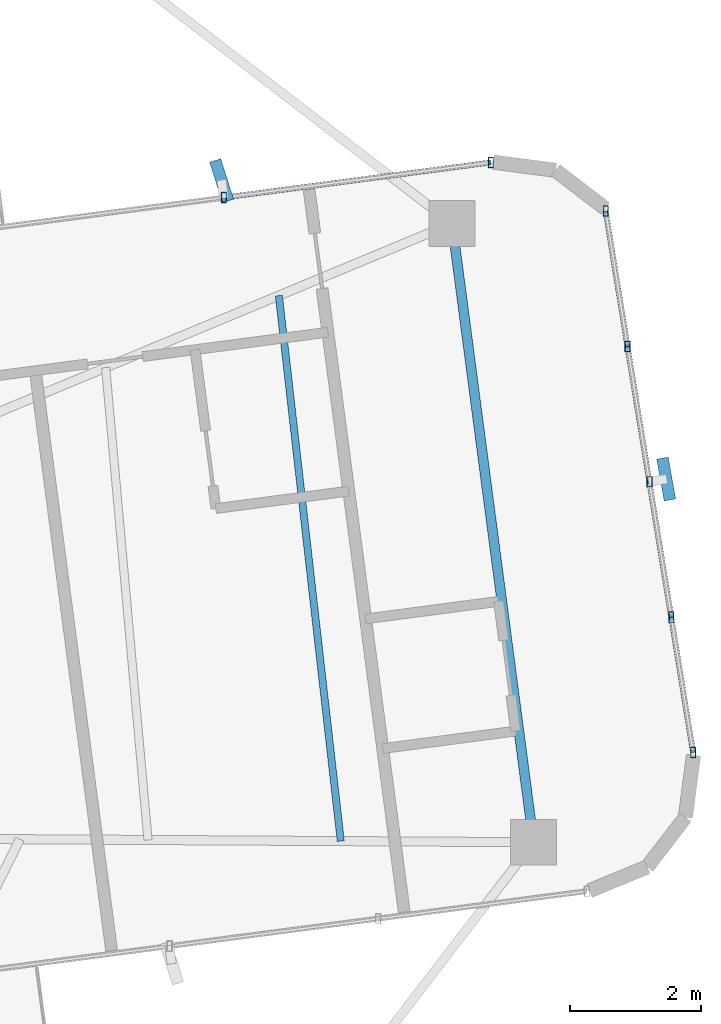
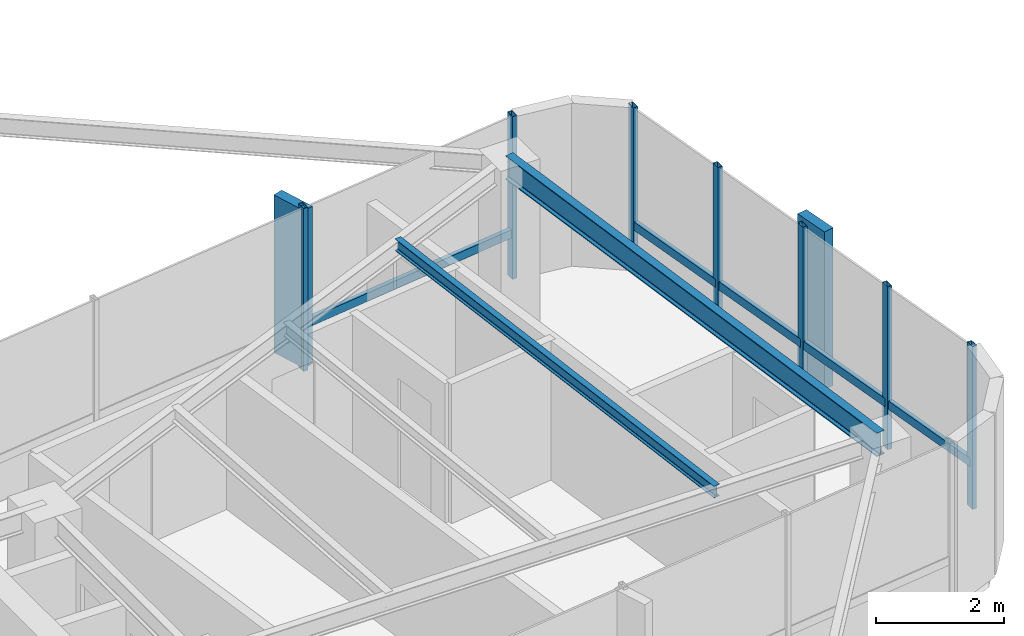
# One storey, part 13 of 22: 14 members, 2 beams, 2 elements without a shape of their own.
"""IFC4 building model written with IfcOpenShell, lengths in metres."""

from ifc_helpers import new_model, si_unit, direction, frame, origin, origin_2d, place, context, subcontext, project, spatial, rectangle, hollow_rectangle, i_section, extrude, source, transform, mapped, material, material_profile, profile_set, type_object, element, aggregate, save


model = new_model("IFC4")

# Units and contexts
model_context = context("Model", 3, precision=1e-05, world=origin(), true_north=direction((0.0, 1.0)))
body_context = subcontext(model_context, "Body", "Model", "MODEL_VIEW")
ifc_project = project(units=[si_unit("LENGTHUNIT", "METRE"), si_unit("AREAUNIT", "SQUARE_METRE"), si_unit("VOLUMEUNIT", "CUBIC_METRE"), si_unit("PLANEANGLEUNIT", "RADIAN"), si_unit("MASSUNIT", "GRAM", prefix="KILO")], contexts=[model_context])

# Site, building, storey
site_placement = place(None, origin())
site = spatial("IfcSite", under=ifc_project, at=site_placement, CompositionType="ELEMENT")
building_placement = place(site_placement, origin())
building = spatial("IfcBuilding", under=site, at=building_placement, Name="Sahyath Konkavel Grand Hotel", CompositionType="ELEMENT")
storey_placement = place(building_placement, frame((0.0, 0.0, 241.14990234375)))
storey = spatial("IfcBuildingStorey", under=building, at=storey_placement, Name="L67", CompositionType="ELEMENT", Elevation=241.14990234375)

# Beams
ifc_material_1 = material(Name="Steel E350", Category="steel")
ifc_material_profile_1 = material_profile(ifc_material_1, i_section(OverallWidth=0.14990234375, OverallDepth=0.449951171875, WebThickness=0.009521484375, FlangeThickness=0.017333984375, FilletRadius=0.014892578125, at=origin_2d()), Name="ISMB 450")
ifc_profile_set_1 = profile_set([ifc_material_profile_1], Name="Steel E350")
beam_type_1 = type_object("IfcBeamType", Name="BM-ISMB450", PredefinedType="BEAM", material=ifc_profile_set_1)
shared_shape_1 = source(origin(), body_context, "Body", "SweptSolid", [
    extrude(i_section(OverallWidth=0.14990234375, OverallDepth=0.449951171875, WebThickness=0.009521484375, FlangeThickness=0.017333984375, FilletRadius=0.014892578125, at=origin_2d()), origin(), (0.0, 0.0, 1.0), 9.5419921875),
])
beam_1_placement = place(storey_placement, frame((17.78173828125, -2.47119140625, 2.885009765625), z_axis=(-0.130537904905, 0.991443319299, 0.0), x_axis=(-0.991443319299, -0.130537904905, 0.0)))
element("IfcBeam", 1, at=beam_1_placement, inside=storey, type_object=beam_type_1, Name="L67 Wing Tip Edge Beam E", PredefinedType="BEAM", context=body_context, shape_type="MappedRepresentation", body=[
    mapped(shared_shape_1, transform((0.0, 0.0, 0.0), scale=1.0)),
])
ifc_material_profile_2 = material_profile(ifc_material_1, i_section(OverallWidth=0.110107421875, OverallDepth=0.22509765625, WebThickness=0.006591796875, FlangeThickness=0.01171875, FilletRadius=0.011962890625, at=origin_2d()), Name="ISMB 225")
ifc_profile_set_2 = profile_set([ifc_material_profile_2], Name="Steel E350")
beam_type_2 = type_object("IfcBeamType", Name="BM-ISMB225", PredefinedType="BEAM", material=ifc_profile_set_2)
shared_shape_2 = source(origin(), body_context, "Body", "SweptSolid", [
    extrude(i_section(OverallWidth=0.110107421875, OverallDepth=0.22509765625, WebThickness=0.006591796875, FlangeThickness=0.01171875, FilletRadius=0.011962890625, at=origin_2d()), origin(), (0.0, 0.0, 1.0), 8.395263671875),
])
beam_2_placement = place(storey_placement, frame((14.833984375, -2.4541015625, 2.99755859375), z_axis=(-0.112745257615, 0.993623926285, 0.0), x_axis=(-0.993623926285, -0.112745257615, 0.0)))
element("IfcBeam", 2, at=beam_2_placement, inside=storey, type_object=beam_type_2, Name="L67 Secondary Floor Beam E-3", PredefinedType="BEAM", context=body_context, shape_type="MappedRepresentation", body=[
    mapped(shared_shape_2, transform((0.0, 0.0, 0.0), scale=1.0)),
])

# Curtain wall, member
ifc_material_2 = material(Name="Anodised Bronze Aluminium & Low-E Glazing", Category="aluminium")
curtain_wall_type = type_object("IfcCurtainWallType", Name="CW-ZONE4", PredefinedType="NOTDEFINED", material=ifc_material_2)
curtain_wall_1_placement = place(storey_placement, origin())
curtain_wall_1 = element("IfcCurtainWall", 3, at=curtain_wall_1_placement, inside=storey, type_object=curtain_wall_type, Name="L67 Unitised Curtain Wall F4", PredefinedType="NOTDEFINED")
ifc_material_3 = material(Name="Warm Buff Sandstone Cladding on Concrete C50/60", Category="masonry")
ifc_material_profile_3 = material_profile(ifc_material_3, rectangle(XDim=0.179931640625, YDim=0.64990234375, at=origin_2d()), Name="FIN 180x650")
ifc_profile_set_3 = profile_set([ifc_material_profile_3], Name="Warm Buff Sandstone Cladding on Concrete C50/60")
member_type_1 = type_object("IfcMemberType", Name="FIN-SANDSTONE-650", PredefinedType="MULLION", material=ifc_profile_set_3)
shared_shape_3 = source(origin(), body_context, "Body", "SweptSolid", [
    extrude(rectangle(XDim=0.179931640625, YDim=0.64990234375, at=origin_2d()), origin(), (0.0, 0.0, 1.0), 3.010009765625),
])
member_1_placement = place(storey_placement, frame((19.81005859375, 3.082275390625, 0.050048828125), z_axis=(0.0, 0.0, 1.0), x_axis=(0.984441905461, 0.175710371841, 0.0)))
member_1 = element("IfcMember", 4, at=member_1_placement, type_object=member_type_1, Name="L67 Sandstone Vertical Solar Fin FIN F4-2", PredefinedType="MULLION", context=body_context, shape_type="MappedRepresentation", body=[
    mapped(shared_shape_3, transform((0.0, 0.0, 0.0), scale=1.0)),
])

curtain_wall_2_placement = place(storey_placement, origin())
curtain_wall_2 = element("IfcCurtainWall", 5, at=curtain_wall_2_placement, inside=storey, type_object=curtain_wall_type, Name="L67 Unitised Curtain Wall F7", PredefinedType="NOTDEFINED")
member_2_placement = place(storey_placement, frame((13.01171875, 7.644775390625, 0.050048828125), z_axis=(0.0, 0.0, 1.0), x_axis=(0.952767550771, 0.303700500819, 0.0)))
member_2 = element("IfcMember", 6, at=member_2_placement, type_object=member_type_1, Name="L67 Sandstone Vertical Solar Fin FIN F7-1", PredefinedType="MULLION", context=body_context, shape_type="MappedRepresentation", body=[
    mapped(shared_shape_3, transform((0.0, 0.0, 0.0), scale=1.0)),
])

# Member
ifc_material_4 = material(Name="Anodised Bronze Aluminium", Category="aluminium")
ifc_material_profile_4 = material_profile(ifc_material_4, hollow_rectangle(XDim=0.080078125, YDim=0.159912109375, WallThickness=0.006103515625, at=origin_2d()), Name="RHS 160x80x6")
ifc_profile_set_4 = profile_set([ifc_material_profile_4], Name="Anodised Bronze Aluminium")
member_type_2 = type_object("IfcMemberType", Name="CW-MUL-160", PredefinedType="MULLION", material=ifc_profile_set_4)
shared_shape_4 = source(origin(), body_context, "Body", "SweptSolid", [
    extrude(hollow_rectangle(XDim=0.080078125, YDim=0.159912109375, WallThickness=0.006103515625, at=origin_2d()), origin(), (0.0, 0.0, 1.0), 3.110107421875),
])
member_3_placement = place(storey_placement, frame((20.222412109375, -1.100830078125, 0.0), z_axis=(0.0, 0.0, 1.0), x_axis=(1.0, 0.0, 0.0)))
member_3 = element("IfcMember", 7, at=member_3_placement, type_object=member_type_2, Name="L67 Curtain Wall Mullion F4-0", PredefinedType="MULLION", context=body_context, shape_type="MappedRepresentation", body=[
    mapped(shared_shape_4, transform((0.0, 0.0, 0.0), scale=1.0)),
])

member_4_placement = place(storey_placement, frame((19.887939453125, 0.969970703125, 0.0), z_axis=(0.0, 0.0, 1.0), x_axis=(1.0, 0.0, 0.0)))
member_4 = element("IfcMember", 8, at=member_4_placement, type_object=member_type_2, Name="L67 Curtain Wall Mullion F4-1", PredefinedType="MULLION", context=body_context, shape_type="MappedRepresentation", body=[
    mapped(shared_shape_4, transform((0.0, 0.0, 0.0), scale=1.0)),
])

member_5_placement = place(storey_placement, frame((19.553466796875, 3.040771484375, 0.0), z_axis=(0.0, 0.0, 1.0), x_axis=(1.0, 0.0, 0.0)))
member_5 = element("IfcMember", 9, at=member_5_placement, type_object=member_type_2, Name="L67 Curtain Wall Mullion F4-2", PredefinedType="MULLION", context=body_context, shape_type="MappedRepresentation", body=[
    mapped(shared_shape_4, transform((0.0, 0.0, 0.0), scale=1.0)),
])

member_6_placement = place(storey_placement, frame((19.218994140625, 5.111572265625, 0.0), z_axis=(0.0, 0.0, 1.0), x_axis=(1.0, 0.0, 0.0)))
member_6 = element("IfcMember", 10, at=member_6_placement, type_object=member_type_2, Name="L67 Curtain Wall Mullion F4-3", PredefinedType="MULLION", context=body_context, shape_type="MappedRepresentation", body=[
    mapped(shared_shape_4, transform((0.0, 0.0, 0.0), scale=1.0)),
])

member_7_placement = place(storey_placement, frame((18.884521484375, 7.182373046875, 0.0), z_axis=(0.0, 0.0, 1.0), x_axis=(1.0, 0.0, 0.0)))
member_7 = element("IfcMember", 11, at=member_7_placement, type_object=member_type_2, Name="L67 Curtain Wall Mullion F4-4", PredefinedType="MULLION", context=body_context, shape_type="MappedRepresentation", body=[
    mapped(shared_shape_4, transform((0.0, 0.0, 0.0), scale=1.0)),
])

member_8_placement = place(storey_placement, frame((17.129150390625, 7.924560546875, 0.0), z_axis=(0.0, 0.0, 1.0), x_axis=(1.0, 0.0, 0.0)))
member_8 = element("IfcMember", 12, at=member_8_placement, type_object=member_type_2, Name="L67 Curtain Wall Mullion F7-0", PredefinedType="MULLION", context=body_context, shape_type="MappedRepresentation", body=[
    mapped(shared_shape_4, transform((0.0, 0.0, 0.0), scale=1.0)),
])

member_9_placement = place(storey_placement, frame((13.045654296875, 7.386962890625, 0.0), z_axis=(0.0, 0.0, 1.0), x_axis=(1.0, 0.0, 0.0)))
member_9 = element("IfcMember", 13, at=member_9_placement, type_object=member_type_2, Name="L67 Curtain Wall Mullion F7-1", PredefinedType="MULLION", context=body_context, shape_type="MappedRepresentation", body=[
    mapped(shared_shape_4, transform((0.0, 0.0, 0.0), scale=1.0)),
])

ifc_material_profile_5 = material_profile(ifc_material_4, hollow_rectangle(XDim=0.080078125, YDim=0.159912109375, WallThickness=0.006103515625, at=origin_2d()), Name="RHS 160x80x6")
ifc_profile_set_5 = profile_set([ifc_material_profile_5], Name="Anodised Bronze Aluminium")
member_type_3 = type_object("IfcMemberType", Name="CW-TRN-160", PredefinedType="USERDEFINED", material=ifc_profile_set_5)
shared_shape_5 = source(origin(), body_context, "Body", "SweptSolid", [
    extrude(hollow_rectangle(XDim=0.080078125, YDim=0.159912109375, WallThickness=0.006103515625, at=origin_2d()), origin(), (0.0, 0.0, 1.0), 2.09765625),
])
member_10_placement = place(storey_placement, frame((20.222412109375, -1.100830078125, 0.85009765625), z_axis=(-0.159451990937, 0.987205684033, 0.0), x_axis=(-0.987205684033, -0.159451990937, 0.0)))
member_10 = element("IfcMember", 14, at=member_10_placement, type_object=member_type_3, Name="L67 Curtain Wall Transom F4-0-spandrel", ObjectType="TRANSOM", PredefinedType="USERDEFINED", context=body_context, shape_type="MappedRepresentation", body=[
    mapped(shared_shape_5, transform((0.0, 0.0, 0.0), scale=1.0)),
])

member_11_placement = place(storey_placement, frame((19.887939453125, 0.969970703125, 0.85009765625), z_axis=(-0.159451990937, 0.987205684033, 0.0), x_axis=(-0.987205684033, -0.159451990937, 0.0)))
member_11 = element("IfcMember", 15, at=member_11_placement, type_object=member_type_3, Name="L67 Curtain Wall Transom F4-1-spandrel", ObjectType="TRANSOM", PredefinedType="USERDEFINED", context=body_context, shape_type="MappedRepresentation", body=[
    mapped(shared_shape_5, transform((0.0, 0.0, 0.0), scale=1.0)),
])

member_12_placement = place(storey_placement, frame((19.553466796875, 3.040771484375, 0.85009765625), z_axis=(-0.159451990937, 0.987205684033, 0.0), x_axis=(-0.987205684033, -0.159451990937, 0.0)))
member_12 = element("IfcMember", 16, at=member_12_placement, type_object=member_type_3, Name="L67 Curtain Wall Transom F4-2-spandrel", ObjectType="TRANSOM", PredefinedType="USERDEFINED", context=body_context, shape_type="MappedRepresentation", body=[
    mapped(shared_shape_5, transform((0.0, 0.0, 0.0), scale=1.0)),
])

member_13_placement = place(storey_placement, frame((19.218994140625, 5.111572265625, 0.85009765625), z_axis=(-0.159451990937, 0.987205684033, 0.0), x_axis=(-0.987205684033, -0.159451990937, 0.0)))
member_13 = element("IfcMember", 17, at=member_13_placement, type_object=member_type_3, Name="L67 Curtain Wall Transom F4-3-spandrel", ObjectType="TRANSOM", PredefinedType="USERDEFINED", context=body_context, shape_type="MappedRepresentation", body=[
    mapped(shared_shape_5, transform((0.0, 0.0, 0.0), scale=1.0)),
])

aggregate(curtain_wall_1, [member_3, member_4, member_5, member_1, member_6, member_7, member_10, member_11, member_12, member_13])

shared_shape_6 = source(origin(), body_context, "Body", "SweptSolid", [
    extrude(hollow_rectangle(XDim=0.080078125, YDim=0.159912109375, WallThickness=0.006103515625, at=origin_2d()), origin(), (0.0, 0.0, 1.0), 4.11865234375),
])
member_14_placement = place(storey_placement, frame((17.129150390625, 7.924560546875, 0.85009765625), z_axis=(-0.991445012294, -0.130525045861, 0.0), x_axis=(0.130525045861, -0.991445012294, 0.0)))
member_14 = element("IfcMember", 18, at=member_14_placement, type_object=member_type_3, Name="L67 Curtain Wall Transom F7-0-spandrel", ObjectType="TRANSOM", PredefinedType="USERDEFINED", context=body_context, shape_type="MappedRepresentation", body=[
    mapped(shared_shape_6, transform((0.0, 0.0, 0.0), scale=1.0)),
])

aggregate(curtain_wall_2, [member_8, member_9, member_2, member_14])

save(model, "model.ifc")
